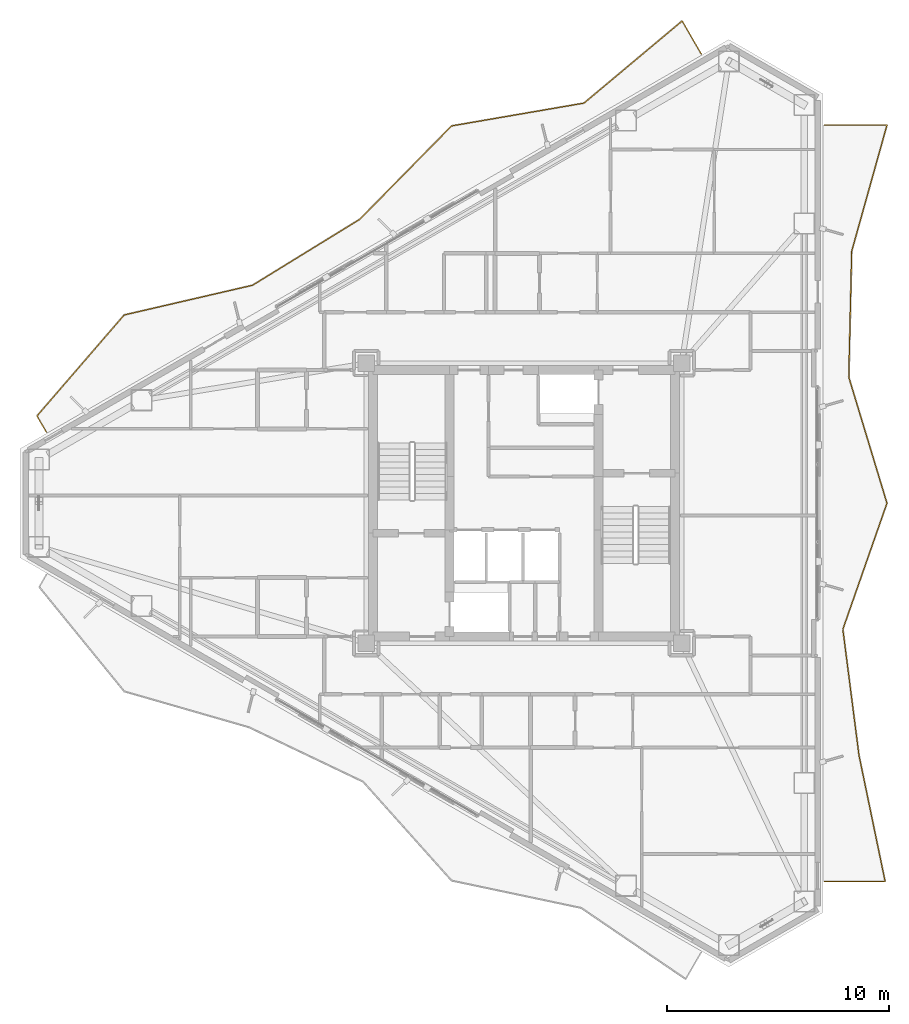
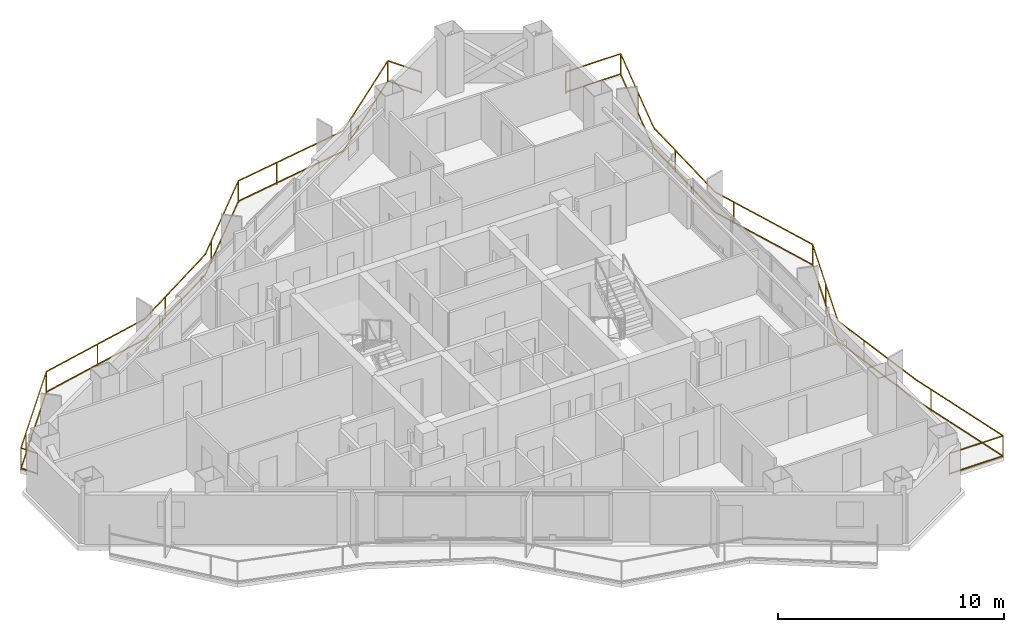
# One storey, part 19 of 19: 2 railings.
"""IFC4 building model written with IfcOpenShell, lengths in metres."""

from ifc_helpers import new_model, si_unit, direction, frame, origin, origin_2d, place, context, subcontext, project, spatial, rectangle, extrude, material, type_object, element, save


model = new_model("IFC4")

# Units and contexts
model_context = context("Model", 3, precision=1e-05, world=origin(), true_north=direction((0.0, 1.0)))
body_context = subcontext(model_context, "Body", "Model", "MODEL_VIEW")
ifc_project = project(units=[si_unit("LENGTHUNIT", "METRE"), si_unit("AREAUNIT", "SQUARE_METRE"), si_unit("VOLUMEUNIT", "CUBIC_METRE"), si_unit("PLANEANGLEUNIT", "RADIAN"), si_unit("MASSUNIT", "GRAM", prefix="KILO")], contexts=[model_context])

# Site, building, storey
site_placement = place(None, origin())
site = spatial("IfcSite", under=ifc_project, at=site_placement, CompositionType="ELEMENT")
building_placement = place(site_placement, origin())
building = spatial("IfcBuilding", under=site, at=building_placement, Name="Mersakhor Tower and Convention Hall", CompositionType="ELEMENT")
storey_placement = place(building_placement, frame((0.0, 0.0, 141.0)))
storey = spatial("IfcBuildingStorey", under=building, at=storey_placement, Name="L39", CompositionType="ELEMENT", Elevation=141.0)

# Railings
ifc_material = material(Name="Powder-coated galvanised steel and laminated glass balustrade", Category="steel")
railing_type = type_object("IfcRailingType", Name="RL-BAL-1200", PredefinedType="BALUSTRADE", material=ifc_material)
railing_1_placement = place(storey_placement, frame((36.983154296875, 46.969482421875, 0.0)))
element("IfcRailing", 1, at=railing_1_placement, inside=storey, type_object=railing_type, Name="L39 Sinusoidal Balcony Balustrade F1", PredefinedType="BALUSTRADE", context=body_context, shape_type="SweptSolid", body=[
    extrude(rectangle(XDim=0.048095703125, YDim=0.048095703125, at=origin_2d()), frame((0.0, 0.0, 1.17578125), z_axis=(-0.499935134805, 0.866062850484, 0.0), x_axis=(-0.866062850484, -0.499935134805, 0.0)), (0.0, 0.0, 1.0), 1.722412109375),
    extrude(rectangle(XDim=0.048095703125, YDim=0.048095703125, at=origin_2d()), frame((0.0, 0.0, 0.080078125), z_axis=(-0.499935134805, 0.866062850484, 0.0), x_axis=(-0.866062850484, -0.499935134805, 0.0)), (0.0, 0.0, 1.0), 1.722412109375),
    extrude(rectangle(XDim=0.048095703125, YDim=0.048095703125, at=origin_2d()), frame((-0.861083984375, 1.49169921875, 1.17578125), z_axis=(-0.766847409195, -0.641829456328, 0.0), x_axis=(0.641829456328, -0.766847409195, 0.0)), (0.0, 0.0, 1.0), 5.760986328125),
    extrude(rectangle(XDim=0.048095703125, YDim=0.048095703125, at=origin_2d()), frame((-0.861083984375, 1.49169921875, 0.080078125), z_axis=(-0.766847409195, -0.641829456328, 0.0), x_axis=(0.641829456328, -0.766847409195, 0.0)), (0.0, 0.0, 1.0), 5.760986328125),
    extrude(rectangle(XDim=0.048095703125, YDim=0.048095703125, at=origin_2d()), frame((-5.27880859375, -2.205810546875, 1.17578125), z_axis=(-0.985492497056, -0.169718997895, 0.0), x_axis=(0.169718997895, -0.985492497056, 0.0)), (0.0, 0.0, 1.0), 6.04736328125),
    extrude(rectangle(XDim=0.048095703125, YDim=0.048095703125, at=origin_2d()), frame((-5.27880859375, -2.205810546875, 0.080078125), z_axis=(-0.985492497056, -0.169718997895, 0.0), x_axis=(0.169718997895, -0.985492497056, 0.0)), (0.0, 0.0, 1.0), 6.04736328125),
    extrude(rectangle(XDim=0.048095703125, YDim=0.048095703125, at=origin_2d()), frame((-11.238525390625, -3.232177734375, 1.17578125), z_axis=(-0.701027521576, -0.713134218779, 0.0), x_axis=(0.713134218779, -0.701027521576, 0.0)), (0.0, 0.0, 1.0), 5.888427734375),
    extrude(rectangle(XDim=0.048095703125, YDim=0.048095703125, at=origin_2d()), frame((-11.238525390625, -3.232177734375, 0.080078125), z_axis=(-0.701027521576, -0.713134218779, 0.0), x_axis=(0.713134218779, -0.701027521576, 0.0)), (0.0, 0.0, 1.0), 5.888427734375),
    extrude(rectangle(XDim=0.048095703125, YDim=0.048095703125, at=origin_2d()), frame((-15.366455078125, -7.431396484375, 1.17578125), z_axis=(-0.851705567674, -0.524020635083, 0.0), x_axis=(0.524020635083, -0.851705567674, 0.0)), (0.0, 0.0, 1.0), 5.676513671875),
    extrude(rectangle(XDim=0.048095703125, YDim=0.048095703125, at=origin_2d()), frame((-15.366455078125, -7.431396484375, 0.080078125), z_axis=(-0.851705567674, -0.524020635083, 0.0), x_axis=(0.524020635083, -0.851705567674, 0.0)), (0.0, 0.0, 1.0), 5.676513671875),
    extrude(rectangle(XDim=0.048095703125, YDim=0.048095703125, at=origin_2d()), frame((-20.201171875, -10.406005859375, 1.17578125), z_axis=(-0.974241868103, -0.225505615088, 0.0), x_axis=(0.225505615088, -0.974241868103, 0.0)), (0.0, 0.0, 1.0), 5.932861328125),
    extrude(rectangle(XDim=0.048095703125, YDim=0.048095703125, at=origin_2d()), frame((-20.201171875, -10.406005859375, 0.080078125), z_axis=(-0.974241868103, -0.225505615088, 0.0), x_axis=(0.225505615088, -0.974241868103, 0.0)), (0.0, 0.0, 1.0), 5.932861328125),
    extrude(rectangle(XDim=0.048095703125, YDim=0.048095703125, at=origin_2d()), frame((-25.981201171875, -11.743896484375, 1.17578125), z_axis=(-0.653487625408, -0.756937199138, 0.0), x_axis=(0.756937199138, -0.653487625408, 0.0)), (0.0, 0.0, 1.0), 6.008544921875),
    extrude(rectangle(XDim=0.048095703125, YDim=0.048095703125, at=origin_2d()), frame((-25.981201171875, -11.743896484375, 0.080078125), z_axis=(-0.653487625408, -0.756937199138, 0.0), x_axis=(0.756937199138, -0.653487625408, 0.0)), (0.0, 0.0, 1.0), 6.008544921875),
    extrude(rectangle(XDim=0.048095703125, YDim=0.048095703125, at=origin_2d()), frame((-29.90771484375, -16.2919921875, 1.17578125), z_axis=(0.500181256421, -0.865920730047, 0.0), x_axis=(0.865920730047, 0.500181256421, 0.0)), (0.0, 0.0, 1.0), 0.844482421875),
    extrude(rectangle(XDim=0.048095703125, YDim=0.048095703125, at=origin_2d()), frame((-29.90771484375, -16.2919921875, 0.080078125), z_axis=(0.500181256421, -0.865920730047, 0.0), x_axis=(0.865920730047, 0.500181256421, 0.0)), (0.0, 0.0, 1.0), 0.844482421875),
    extrude(rectangle(XDim=0.0419921875, YDim=0.0419921875, at=origin_2d()), origin(), (0.0, 0.0, 1.0), 1.15185546875),
    extrude(rectangle(XDim=0.0419921875, YDim=0.0419921875, at=origin_2d()), frame((-0.861083984375, 1.49169921875, 0.0)), (0.0, 0.0, 1.0), 1.15185546875),
    extrude(rectangle(XDim=0.0419921875, YDim=0.0419921875, at=origin_2d()), frame((-4.5419921875, -1.589111328125, 0.0)), (0.0, 0.0, 1.0), 1.15185546875),
    extrude(rectangle(XDim=0.0419921875, YDim=0.0419921875, at=origin_2d()), frame((-9.062255859375, -2.857421875, 0.0)), (0.0, 0.0, 1.0), 1.15185546875),
    extrude(rectangle(XDim=0.0419921875, YDim=0.0419921875, at=origin_2d()), frame((-11.238525390625, -3.232177734375, 0.0)), (0.0, 0.0, 1.0), 1.15185546875),
    extrude(rectangle(XDim=0.0419921875, YDim=0.0419921875, at=origin_2d()), frame((-14.603515625, -6.6552734375, 0.0)), (0.0, 0.0, 1.0), 1.15185546875),
    extrude(rectangle(XDim=0.0419921875, YDim=0.0419921875, at=origin_2d()), frame((-18.527587890625, -9.37646484375, 0.0)), (0.0, 0.0, 1.0), 1.15185546875),
    extrude(rectangle(XDim=0.0419921875, YDim=0.0419921875, at=origin_2d()), frame((-22.963134765625, -11.04541015625, 0.0)), (0.0, 0.0, 1.0), 1.15185546875),
    extrude(rectangle(XDim=0.0419921875, YDim=0.0419921875, at=origin_2d()), frame((-25.981201171875, -11.743896484375, 0.0)), (0.0, 0.0, 1.0), 1.15185546875),
    extrude(rectangle(XDim=0.0419921875, YDim=0.0419921875, at=origin_2d()), frame((-29.117919921875, -15.377197265625, 0.0)), (0.0, 0.0, 1.0), 1.15185546875),
    extrude(rectangle(XDim=0.0419921875, YDim=0.0419921875, at=origin_2d()), frame((-29.90771484375, -16.2919921875, 0.0)), (0.0, 0.0, 1.0), 1.15185546875),
    extrude(rectangle(XDim=0.0419921875, YDim=0.0419921875, at=origin_2d()), frame((-29.4853515625, -17.023193359375, 0.0)), (0.0, 0.0, 1.0), 1.15185546875),
])
railing_2_placement = place(storey_placement, frame((42.519287109375, 9.726806640625, 0.0)))
element("IfcRailing", 2, at=railing_2_placement, inside=storey, type_object=railing_type, Name="L39 Sinusoidal Balcony Balustrade F2", PredefinedType="BALUSTRADE", context=body_context, shape_type="SweptSolid", body=[
    extrude(rectangle(XDim=0.048095703125, YDim=0.048095703125, at=origin_2d()), frame((0.0, 0.0, 1.17578125), z_axis=(1.0, 0.0, 0.0), x_axis=(0.0, 1.0, 0.0)), (0.0, 0.0, 1.0), 2.736572265625),
    extrude(rectangle(XDim=0.048095703125, YDim=0.048095703125, at=origin_2d()), frame((0.0, 0.0, 0.080078125), z_axis=(1.0, 0.0, 0.0), x_axis=(0.0, 1.0, 0.0)), (0.0, 0.0, 1.0), 2.736572265625),
    extrude(rectangle(XDim=0.048095703125, YDim=0.048095703125, at=origin_2d()), frame((2.736572265625, 0.0, 1.17578125), z_axis=(-0.20298173152, 0.979182524696, 0.0), x_axis=(-0.979182524696, -0.20298173152, 0.0)), (0.0, 0.0, 1.0), 5.794921875),
    extrude(rectangle(XDim=0.048095703125, YDim=0.048095703125, at=origin_2d()), frame((2.736572265625, 0.0, 0.080078125), z_axis=(-0.20298173152, 0.979182524696, 0.0), x_axis=(-0.979182524696, -0.20298173152, 0.0)), (0.0, 0.0, 1.0), 5.794921875),
    extrude(rectangle(XDim=0.048095703125, YDim=0.048095703125, at=origin_2d()), frame((1.560302734375, 5.67431640625, 1.17578125), z_axis=(-0.126959768751, 0.991907867253, 0.0), x_axis=(-0.991907867253, -0.126959768751, 0.0)), (0.0, 0.0, 1.0), 5.720947265625),
    extrude(rectangle(XDim=0.048095703125, YDim=0.048095703125, at=origin_2d()), frame((1.560302734375, 5.67431640625, 0.080078125), z_axis=(-0.126959768751, 0.991907867253, 0.0), x_axis=(-0.991907867253, -0.126959768751, 0.0)), (0.0, 0.0, 1.0), 5.720947265625),
    extrude(rectangle(XDim=0.048095703125, YDim=0.048095703125, at=origin_2d()), frame((0.833984375, 11.348876953125, 1.17578125), z_axis=(0.33032509963, 0.943867219769, 0.0), x_axis=(-0.943867219769, 0.33032509963, 0.0)), (0.0, 0.0, 1.0), 6.01171875),
    extrude(rectangle(XDim=0.048095703125, YDim=0.048095703125, at=origin_2d()), frame((0.833984375, 11.348876953125, 0.080078125), z_axis=(0.33032509963, 0.943867219769, 0.0), x_axis=(-0.943867219769, 0.33032509963, 0.0)), (0.0, 0.0, 1.0), 6.01171875),
    extrude(rectangle(XDim=0.048095703125, YDim=0.048095703125, at=origin_2d()), frame((2.81982421875, 17.023193359375, 1.17578125), z_axis=(-0.289855387932, 0.957070454087, 0.0), x_axis=(-0.957070454087, -0.289855387932, 0.0)), (0.0, 0.0, 1.0), 5.928955078125),
    extrude(rectangle(XDim=0.048095703125, YDim=0.048095703125, at=origin_2d()), frame((2.81982421875, 17.023193359375, 0.080078125), z_axis=(-0.289855387932, 0.957070454087, 0.0), x_axis=(-0.957070454087, -0.289855387932, 0.0)), (0.0, 0.0, 1.0), 5.928955078125),
    extrude(rectangle(XDim=0.048095703125, YDim=0.048095703125, at=origin_2d()), frame((1.101318359375, 22.697509765625, 1.17578125), z_axis=(0.023269522538, 0.999729228002, 0.0), x_axis=(-0.999729228002, 0.023269522538, 0.0)), (0.0, 0.0, 1.0), 5.676025390625),
    extrude(rectangle(XDim=0.048095703125, YDim=0.048095703125, at=origin_2d()), frame((1.101318359375, 22.697509765625, 0.080078125), z_axis=(0.023269522538, 0.999729228002, 0.0), x_axis=(-0.999729228002, 0.023269522538, 0.0)), (0.0, 0.0, 1.0), 5.676025390625),
    extrude(rectangle(XDim=0.048095703125, YDim=0.048095703125, at=origin_2d()), frame((1.2333984375, 28.3720703125, 1.17578125), z_axis=(0.269254885596, 0.963068952143, 0.0), x_axis=(-0.963068952143, 0.269254885596, 0.0)), (0.0, 0.0, 1.0), 5.891845703125),
    extrude(rectangle(XDim=0.048095703125, YDim=0.048095703125, at=origin_2d()), frame((1.2333984375, 28.3720703125, 0.080078125), z_axis=(0.269254885596, 0.963068952143, 0.0), x_axis=(-0.963068952143, 0.269254885596, 0.0)), (0.0, 0.0, 1.0), 5.891845703125),
    extrude(rectangle(XDim=0.048095703125, YDim=0.048095703125, at=origin_2d()), frame((2.81982421875, 34.04638671875, 1.17578125), z_axis=(-1.0, 0.0, 0.0), x_axis=(0.0, -1.0, 0.0)), (0.0, 0.0, 1.0), 2.81982421875),
    extrude(rectangle(XDim=0.048095703125, YDim=0.048095703125, at=origin_2d()), frame((2.81982421875, 34.04638671875, 0.080078125), z_axis=(-1.0, 0.0, 0.0), x_axis=(0.0, -1.0, 0.0)), (0.0, 0.0, 1.0), 2.81982421875),
    extrude(rectangle(XDim=0.0419921875, YDim=0.0419921875, at=origin_2d()), origin(), (0.0, 0.0, 1.0), 1.15185546875),
    extrude(rectangle(XDim=0.0419921875, YDim=0.0419921875, at=origin_2d()), frame((2.736572265625, 0.0, 0.0)), (0.0, 0.0, 1.0), 1.15185546875),
    extrude(rectangle(XDim=0.0419921875, YDim=0.0419921875, at=origin_2d()), frame((1.76220703125, 4.7001953125, 0.0)), (0.0, 0.0, 1.0), 1.15185546875),
    extrude(rectangle(XDim=0.0419921875, YDim=0.0419921875, at=origin_2d()), frame((1.0771484375, 9.448486328125, 0.0)), (0.0, 0.0, 1.0), 1.15185546875),
    extrude(rectangle(XDim=0.0419921875, YDim=0.0419921875, at=origin_2d()), frame((1.78662109375, 14.0712890625, 0.0)), (0.0, 0.0, 1.0), 1.15185546875),
    extrude(rectangle(XDim=0.0419921875, YDim=0.0419921875, at=origin_2d()), frame((2.81982421875, 17.023193359375, 0.0)), (0.0, 0.0, 1.0), 1.15185546875),
    extrude(rectangle(XDim=0.0419921875, YDim=0.0419921875, at=origin_2d()), frame((1.428466796875, 21.6171875, 0.0)), (0.0, 0.0, 1.0), 1.15185546875),
    extrude(rectangle(XDim=0.0419921875, YDim=0.0419921875, at=origin_2d()), frame((1.186767578125, 26.36767578125, 0.0)), (0.0, 0.0, 1.0), 1.15185546875),
    extrude(rectangle(XDim=0.0419921875, YDim=0.0419921875, at=origin_2d()), frame((1.986083984375, 31.06396484375, 0.0)), (0.0, 0.0, 1.0), 1.15185546875),
    extrude(rectangle(XDim=0.0419921875, YDim=0.0419921875, at=origin_2d()), frame((2.81982421875, 34.04638671875, 0.0)), (0.0, 0.0, 1.0), 1.15185546875),
    extrude(rectangle(XDim=0.0419921875, YDim=0.0419921875, at=origin_2d()), frame((0.0, 34.04638671875, 0.0)), (0.0, 0.0, 1.0), 1.15185546875),
])

save(model, "model.ifc")
